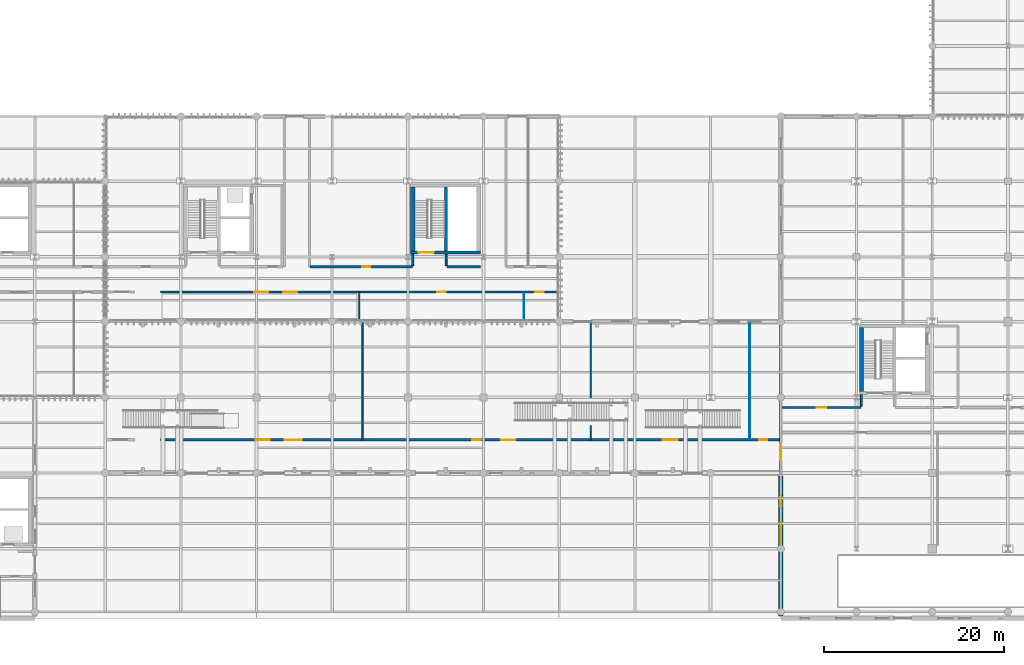
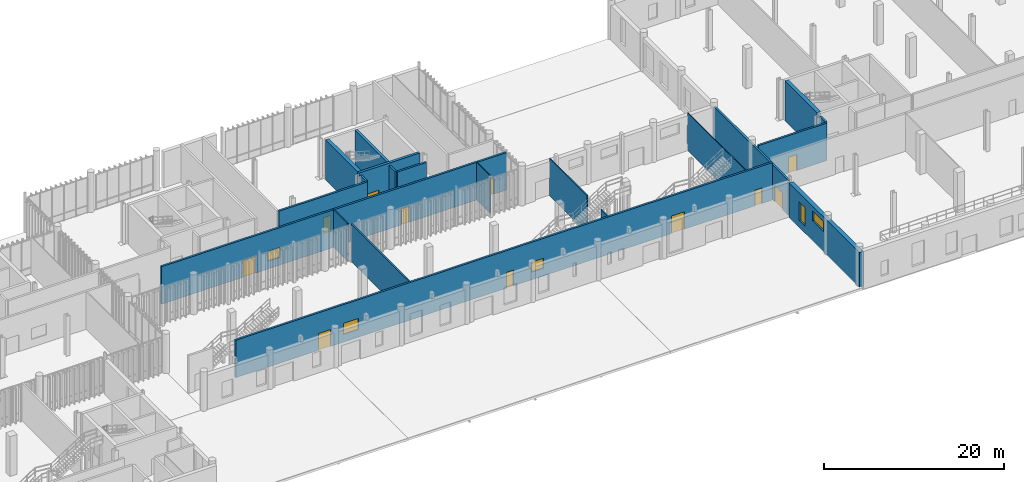
# One storey, part 90 of 112: 20 walls, 11 doors, 5 windows, 16 openings.
"""IFC4 building model written with IfcOpenShell, lengths in metres."""

from ifc_helpers import new_model, si_unit, direction, frame, frame_2d, origin_with_axes, place, context, subcontext, project, spatial, rectangle, extrude, material, layer, layer_set, type_object, element, fill, save


model = new_model("IFC4")

# Units and contexts
model_context = context("Model", 3, precision=1e-05, world=origin_with_axes(), true_north=direction((0.0, 1.0)))
body_context = subcontext(model_context, "Body", "Model", "MODEL_VIEW")
ifc_project = project(units=[si_unit("LENGTHUNIT", "METRE"), si_unit("AREAUNIT", "SQUARE_METRE"), si_unit("VOLUMEUNIT", "CUBIC_METRE"), si_unit("PLANEANGLEUNIT", "RADIAN"), si_unit("MASSUNIT", "GRAM", prefix="KILO"), si_unit("THERMODYNAMICTEMPERATUREUNIT", "KELVIN")], contexts=[model_context])

# Site, building, storey
site_placement = place(None, origin_with_axes())
site = spatial("IfcSite", under=ifc_project, at=site_placement, CompositionType="ELEMENT")
building_placement = place(site_placement, origin_with_axes())
building = spatial("IfcBuilding", under=site, at=building_placement, Name="Montbau Bow Law Courts", CompositionType="ELEMENT")
storey_placement = place(building_placement, origin_with_axes())
storey = spatial("IfcBuildingStorey", under=building, at=storey_placement, Name="L00", CompositionType="ELEMENT", Elevation=0.0)

# Walls
ifc_material_1 = material(Name="Concrete CSA A23.1 f'c 45 MPa", Category="concrete")
ifc_layer_1 = layer(ifc_material_1, 0.45, Name="Shear Wall", Category="concrete")
ifc_layer_set_1 = layer_set([ifc_layer_1], Name="Concrete CSA A23.1 f'c 45 MPa")
wall_type_1 = type_object("IfcWallType", Name="W-COR-02", PredefinedType="SHEAR", material=ifc_layer_set_1)
wall_1_placement = place(None, frame((80.94, 53.96, 0.0), z_axis=(0.0, 0.0, 1.0), x_axis=(0.0, -1.0, 0.0)))
element("IfcWall", 1, at=wall_1_placement, inside=storey, type_object=wall_type_1, Name="WC-L00-0222:wal_0289", PredefinedType="SHEAR", context=body_context, shape_type="SweptSolid", body=[
    extrude(rectangle(XDim=7.119999999999997, YDim=0.45, at=frame_2d((3.56, 0.0), x_axis=(1.0, 0.0))), origin_with_axes(), (0.0, 0.0, 1.0), 5.4),
])
wall_2_placement = place(None, frame((130.74, 38.36, 0.0), z_axis=(0.0, 0.0, 1.0), x_axis=(0.0, -1.0, 0.0)))
element("IfcWall", 2, at=wall_2_placement, inside=storey, type_object=wall_type_1, Name="WC-L00-0492:wal_0559", PredefinedType="SHEAR", context=body_context, shape_type="SweptSolid", body=[
    extrude(rectangle(XDim=7.120000000000001, YDim=0.45, at=frame_2d((3.56, 0.0), x_axis=(1.0, 0.0))), origin_with_axes(), (0.0, 0.0, 1.0), 5.4),
])

# Wall, opening, door
ifc_layer_2 = layer(ifc_material_1, 0.32, Name="Shear Wall", Category="concrete")
ifc_layer_set_2 = layer_set([ifc_layer_2], Name="Concrete CSA A23.1 f'c 45 MPa")
wall_type_2 = type_object("IfcWallType", Name="W-COR-05", PredefinedType="SHEAR", material=ifc_layer_set_2)
wall_3_placement = place(None, frame((80.715, 46.68, 0.0), z_axis=(0.0, 0.0, 1.0), x_axis=(1.0, 0.0, 0.0)))
wall_3 = element("IfcWall", 3, at=wall_3_placement, inside=storey, type_object=wall_type_2, Name="WC-L00-0219:wal_0286", PredefinedType="SHEAR", context=body_context, shape_type="SweptSolid", body=[
    extrude(rectangle(XDim=7.769999999999996, YDim=0.32, at=frame_2d((3.885, 0.0), x_axis=(1.0, 0.0))), origin_with_axes(), (0.0, 0.0, 1.0), 5.4),
])
opening_1_placement = place(None, frame((82.425, 46.68, 0.0), z_axis=(0.0, 0.0, 1.0), x_axis=(1.0, 0.0, 0.0)))
opening_1 = element("IfcOpeningElement", 4, at=opening_1_placement, cuts=wall_3, Name="OP-D-L00-ST-P3", PredefinedType="OPENING", context=body_context, shape_type="SweptSolid", body=[
    extrude(rectangle(XDim=1.72, YDim=2.18, at=frame_2d((0.0, 1.09), x_axis=(1.0, 0.0))), frame((0.0, 0.17, 0.0), z_axis=(0.0, -1.0, 0.0), x_axis=(1.0, 0.0, 0.0)), (0.0, 0.0, 1.0), 0.34),
])
ifc_material_2 = material(Name="1.5 h Fire-Rated Double Exit Stair Discharge Door", Category="steel")
door_type_1 = type_object("IfcDoorType", Name="D-ST-02", OperationType="NOTDEFINED", ParameterTakesPrecedence=False, PredefinedType="DOOR", material=ifc_material_2)
door_1_placement = place(None, frame((82.425, 46.68, 0.0), z_axis=(0.0, 0.0, 1.0), x_axis=(-1.0, 0.0, 0.0)))
door_1 = element("IfcDoor", 5, at=door_1_placement, inside=storey, type_object=door_type_1, Name="D-L00-ST-P3:dor_0126", OperationType="DOUBLE_DOOR_SINGLE_SWING", OverallHeight=2.18, OverallWidth=1.72, PredefinedType="DOOR", context=body_context, shape_type="SweptSolid", body=[
    extrude(rectangle(XDim=1.72, YDim=2.18, at=frame_2d((0.0, 1.09), x_axis=(1.0, 0.0))), frame((0.0, 0.04, 0.0), z_axis=(0.0, -1.0, 0.0), x_axis=(1.0, 0.0, 0.0)), (0.0, 0.0, 1.0), 0.08),
])
fill(opening_1, door_1)

# Wall
wall_4_placement = place(None, frame((84.62, 46.84, 0.0), z_axis=(0.0, 0.0, 1.0), x_axis=(0.0, 1.0, 0.0)))
element("IfcWall", 6, at=wall_4_placement, inside=storey, type_object=wall_type_2, Name="WS-L00-0223:wal_0290", PredefinedType="SHEAR", context=body_context, shape_type="SweptSolid", body=[
    extrude(rectangle(XDim=7.119999999999997, YDim=0.32, at=frame_2d((3.56, 0.0), x_axis=(1.0, 0.0))), origin_with_axes(), (0.0, 0.0, 1.0), 5.4),
])

# Wall, openings, windows
ifc_material_3 = material(Name="Canmore Rundlestone Plinth Masonry on Concrete Backing CSA A23.1 f'c 35 MPa", Category="masonry")
ifc_layer_3 = layer(ifc_material_3, 0.52, Name="Solid Wall", Category="masonry")
ifc_layer_set_3 = layer_set([ifc_layer_3], Name="Canmore Rundlestone Plinth Masonry on Concrete Backing CSA A23.1 f'c 35 MPa")
wall_type_3 = type_object("IfcWallType", Name="W-EXT-02", PredefinedType="SOLIDWALL", material=ifc_layer_set_3)
wall_5_placement = place(None, frame((121.8, 21.89, 0.0), z_axis=(0.0, 0.0, 1.0), x_axis=(0.0, -1.0, 0.0)))
wall_5 = element("IfcWall", 7, at=wall_5_placement, inside=storey, type_object=wall_type_3, Name="WE-L00-014:wal_0031", PredefinedType="SOLIDWALL", context=body_context, shape_type="SweptSolid", body=[
    extrude(rectangle(XDim=15.55, YDim=0.52, at=frame_2d((7.775, 0.0), x_axis=(1.0, 0.0))), origin_with_axes(), (0.0, 0.0, 1.0), 4.714),
])
opening_2_placement = place(None, frame((121.8, 19.015, 0.95), z_axis=(0.0, 0.0, 1.0), x_axis=(0.0, -1.0, 0.0)))
opening_2 = element("IfcOpeningElement", 8, at=opening_2_placement, cuts=wall_5, Name="OP-WN-L00-070", PredefinedType="OPENING", context=body_context, shape_type="SweptSolid", body=[
    extrude(rectangle(XDim=1.35, YDim=2.5, at=frame_2d((0.0, 1.25), x_axis=(1.0, 0.0))), frame((0.0, 0.27, 0.0), z_axis=(0.0, -1.0, 0.0), x_axis=(1.0, 0.0, 0.0)), (0.0, 0.0, 1.0), 0.54),
])
opening_3_placement = place(None, frame((121.8, 15.54, 2.7), z_axis=(0.0, 0.0, 1.0), x_axis=(0.0, -1.0, 0.0)))
opening_3 = element("IfcOpeningElement", 9, at=opening_3_placement, cuts=wall_5, Name="OP-WN-L00-071", PredefinedType="OPENING", context=body_context, shape_type="SweptSolid", body=[
    extrude(rectangle(XDim=2.4, YDim=1.4, at=frame_2d((0.0, 0.7), x_axis=(1.0, 0.0))), frame((0.0, 0.27, 0.0), z_axis=(0.0, -1.0, 0.0), x_axis=(1.0, 0.0, 0.0)), (0.0, 0.0, 1.0), 0.54),
])
ifc_material_4 = material(Name="Triple-Glazed Low-E Argon Insulating Glass Unit", Category="glass")
window_type_1 = type_object("IfcWindowType", Name="WN-CRT-01", ParameterTakesPrecedence=False, PartitioningType="SINGLE_PANEL", PredefinedType="WINDOW", material=ifc_material_4)
window_1_placement = place(None, frame((121.8, 15.54, 2.7), z_axis=(0.0, 0.0, 1.0), x_axis=(0.0, -1.0, 0.0)))
window_1 = element("IfcWindow", 10, at=window_1_placement, inside=storey, type_object=window_type_1, Name="WN-L00-071:win_0071", OverallHeight=1.4, OverallWidth=2.4, PartitioningType="SINGLE_PANEL", PredefinedType="WINDOW", context=body_context, shape_type="SweptSolid", body=[
    extrude(rectangle(XDim=2.4, YDim=1.4, at=frame_2d((0.0, 0.7), x_axis=(1.0, 0.0))), frame((0.0, 0.03, 0.0), z_axis=(0.0, -1.0, 0.0), x_axis=(1.0, 0.0, 0.0)), (0.0, 0.0, 1.0), 0.06),
])
fill(opening_3, window_1)
window_type_2 = type_object("IfcWindowType", Name="WN-PLN-04", ParameterTakesPrecedence=False, PartitioningType="SINGLE_PANEL", PredefinedType="WINDOW", material=ifc_material_4)
window_2_placement = place(None, frame((121.8, 19.015, 0.95), z_axis=(0.0, 0.0, 1.0), x_axis=(0.0, -1.0, 0.0)))
window_2 = element("IfcWindow", 11, at=window_2_placement, inside=storey, type_object=window_type_2, Name="WN-L00-070:win_0070", OverallHeight=2.5, OverallWidth=1.35, PartitioningType="SINGLE_PANEL", PredefinedType="WINDOW", context=body_context, shape_type="SweptSolid", body=[
    extrude(rectangle(XDim=1.35, YDim=2.5, at=frame_2d((0.0, 1.25), x_axis=(1.0, 0.0))), frame((0.0, 0.03, 0.0), z_axis=(0.0, -1.0, 0.0), x_axis=(1.0, 0.0, 0.0)), (0.0, 0.0, 1.0), 0.06),
])
fill(opening_2, window_2)

# Wall, opening, door
ifc_material_5 = material(Name="2 h Shaft and Exit-Passage Fire Separation Partition", Category="gypsum")
ifc_layer_4 = layer(ifc_material_5, 0.25, Name="Partition", Category="gypsum")
ifc_layer_set_4 = layer_set([ifc_layer_4], Name="2 h Shaft and Exit-Passage Fire Separation Partition")
wall_type_4 = type_object("IfcWallType", Name="W-PRT-01", PredefinedType="PARTITIONING", material=ifc_layer_set_4)
wall_6_placement = place(None, frame((121.8, 22.34, 0.0), z_axis=(0.0, 0.0, 1.0), x_axis=(0.0, 1.0, 0.0)))
wall_6 = element("IfcWall", 12, at=wall_6_placement, inside=storey, type_object=wall_type_4, Name="WLK-L00-0561:wal_0628", PredefinedType="PARTITIONING", context=body_context, shape_type="SweptSolid", body=[
    extrude(rectangle(XDim=16.52, YDim=0.25, at=frame_2d((8.26, 0.0), x_axis=(1.0, 0.0))), origin_with_axes(), (0.0, 0.0, 1.0), 4.724),
])
opening_4_placement = place(None, frame((121.8, 24.53, 0.0), z_axis=(0.0, 0.0, 1.0), x_axis=(0.0, 1.0, 0.0)))
opening_4 = element("IfcOpeningElement", 13, at=opening_4_placement, cuts=wall_6, Name="OP-D-LNK-210", PredefinedType="OPENING", context=body_context, shape_type="SweptSolid", body=[
    extrude(rectangle(XDim=1.76, YDim=2.26, at=frame_2d((0.0, 1.13), x_axis=(1.0, 0.0))), frame((0.0, 0.135, 0.0), z_axis=(0.0, -1.0, 0.0), x_axis=(1.0, 0.0, 0.0)), (0.0, 0.0, 1.0), 0.27),
])
ifc_material_6 = material(Name="Detention-Grade Steel Sally-Port Transfer Gate", Category="steel")
door_type_2 = type_object("IfcDoorType", Name="D-GAT-03", OperationType="NOTDEFINED", ParameterTakesPrecedence=False, PredefinedType="GATE", material=ifc_material_6)
door_2_placement = place(None, frame((121.8, 24.53, 0.0), z_axis=(0.0, 0.0, 1.0), x_axis=(0.0, 1.0, 0.0)))
door_2 = element("IfcDoor", 14, at=door_2_placement, inside=storey, type_object=door_type_2, Name="D-LNK-210:dor_0244", OperationType="DOUBLE_DOOR_SINGLE_SWING", OverallHeight=2.26, OverallWidth=1.76, PredefinedType="GATE", context=body_context, shape_type="SweptSolid", body=[
    extrude(rectangle(XDim=1.76, YDim=2.26, at=frame_2d((0.0, 1.13), x_axis=(1.0, 0.0))), frame((0.0, 0.04, 0.0), z_axis=(0.0, -1.0, 0.0), x_axis=(1.0, 0.0, 0.0)), (0.0, 0.0, 1.0), 0.08),
])
fill(opening_4, door_2)

wall_7_placement = place(None, frame((69.55, 45.09, 0.0), z_axis=(0.0, 0.0, 1.0), x_axis=(1.0, 0.0, 0.0)))
wall_7 = element("IfcWall", 15, at=wall_7_placement, inside=storey, type_object=wall_type_4, Name="WP-L00-0636:wal_0703", PredefinedType="PARTITIONING", context=body_context, shape_type="SweptSolid", body=[
    extrude(rectangle(XDim=11.350000000000009, YDim=0.25, at=frame_2d((5.675, 0.0), x_axis=(1.0, 0.0))), origin_with_axes(), (0.0, 0.0, 1.0), 5.08),
])
opening_5_placement = place(None, frame((75.789, 45.09, 0.0), z_axis=(0.0, 0.0, 1.0), x_axis=(1.0, 0.0, 0.0)))
opening_5 = element("IfcOpeningElement", 16, at=opening_5_placement, cuts=wall_7, Name="OP-D-L00-241", PredefinedType="OPENING", context=body_context, shape_type="SweptSolid", body=[
    extrude(rectangle(XDim=0.92, YDim=2.14, at=frame_2d((0.0, 1.07), x_axis=(1.0, 0.0))), frame((0.0, 0.135, 0.0), z_axis=(0.0, -1.0, 0.0), x_axis=(1.0, 0.0, 0.0)), (0.0, 0.0, 1.0), 0.27),
])
ifc_material_7 = material(Name="Judicial Law Clerk and Registry Office Oak Door", Category="wood")
door_type_3 = type_object("IfcDoorType", Name="D-OFF-01", OperationType="NOTDEFINED", ParameterTakesPrecedence=False, PredefinedType="DOOR", material=ifc_material_7)
door_3_placement = place(None, frame((75.789, 45.09, 0.0), z_axis=(0.0, 0.0, 1.0), x_axis=(-1.0, 0.0, 0.0)))
door_3 = element("IfcDoor", 17, at=door_3_placement, inside=storey, type_object=door_type_3, Name="D-L00-241:dor_0276", OperationType="SINGLE_SWING_RIGHT", OverallHeight=2.14, OverallWidth=0.92, PredefinedType="DOOR", context=body_context, shape_type="SweptSolid", body=[
    extrude(rectangle(XDim=0.92, YDim=2.14, at=frame_2d((0.0, 1.07), x_axis=(1.0, 0.0))), frame((0.0, 0.04, 0.0), z_axis=(0.0, -1.0, 0.0), x_axis=(1.0, 0.0, 0.0)), (0.0, 0.0, 1.0), 0.08),
])
fill(opening_5, door_3)

# Wall
wall_8_placement = place(None, frame((84.75, 45.09, 0.0), z_axis=(0.0, 0.0, 1.0), x_axis=(1.0, 0.0, 0.0)))
element("IfcWall", 18, at=wall_8_placement, inside=storey, type_object=wall_type_4, Name="WP-L00-0637:wal_0704", PredefinedType="PARTITIONING", context=body_context, shape_type="SweptSolid", body=[
    extrude(rectangle(XDim=3.700000000000003, YDim=0.25, at=frame_2d((1.85, 0.0), x_axis=(1.0, 0.0))), origin_with_axes(), (0.0, 0.0, 1.0), 5.08),
])

# Wall, openings, doors, window
wall_9_placement = place(None, frame((52.95, 42.31, 0.0), z_axis=(0.0, 0.0, 1.0), x_axis=(1.0, 0.0, 0.0)))
wall_9 = element("IfcWall", 19, at=wall_9_placement, inside=storey, type_object=wall_type_4, Name="WP-L00-0640:wal_0707", PredefinedType="PARTITIONING", context=body_context, shape_type="SweptSolid", body=[
    extrude(rectangle(XDim=44.11, YDim=0.25, at=frame_2d((22.055, 0.0), x_axis=(1.0, 0.0))), origin_with_axes(), (0.0, 0.0, 1.0), 5.08),
])
opening_6_placement = place(None, frame((64.136, 42.31, 0.0), z_axis=(0.0, 0.0, 1.0), x_axis=(1.0, 0.0, 0.0)))
opening_6 = element("IfcOpeningElement", 20, at=opening_6_placement, cuts=wall_9, Name="OP-D-L00-245", PredefinedType="OPENING", context=body_context, shape_type="SweptSolid", body=[
    extrude(rectangle(XDim=1.56, YDim=2.28, at=frame_2d((0.0, 1.14), x_axis=(1.0, 0.0))), frame((0.0, 0.135, 0.0), z_axis=(0.0, -1.0, 0.0), x_axis=(1.0, 0.0, 0.0)), (0.0, 0.0, 1.0), 0.27),
])
opening_7_placement = place(None, frame((84.144, 42.31, 0.0), z_axis=(0.0, 0.0, 1.0), x_axis=(1.0, 0.0, 0.0)))
opening_7 = element("IfcOpeningElement", 21, at=opening_7_placement, cuts=wall_9, Name="OP-D-L00-246", PredefinedType="OPENING", context=body_context, shape_type="SweptSolid", body=[
    extrude(rectangle(XDim=0.95, YDim=2.16, at=frame_2d((0.0, 1.08), x_axis=(1.0, 0.0))), frame((0.0, 0.135, 0.0), z_axis=(0.0, -1.0, 0.0), x_axis=(1.0, 0.0, 0.0)), (0.0, 0.0, 1.0), 0.27),
])
opening_8_placement = place(None, frame((95.013, 42.31, 0.0), z_axis=(0.0, 0.0, 1.0), x_axis=(1.0, 0.0, 0.0)))
opening_8 = element("IfcOpeningElement", 22, at=opening_8_placement, cuts=wall_9, Name="OP-D-L00-247", PredefinedType="OPENING", context=body_context, shape_type="SweptSolid", body=[
    extrude(rectangle(XDim=0.91, YDim=2.12, at=frame_2d((0.0, 1.06), x_axis=(1.0, 0.0))), frame((0.0, 0.135, 0.0), z_axis=(0.0, -1.0, 0.0), x_axis=(1.0, 0.0, 0.0)), (0.0, 0.0, 1.0), 0.27),
])
opening_9_placement = place(None, frame((67.331, 42.31, 1.05), z_axis=(0.0, 0.0, 1.0), x_axis=(1.0, 0.0, 0.0)))
opening_9 = element("IfcOpeningElement", 23, at=opening_9_placement, cuts=wall_9, Name="OP-WI-L00-04", PredefinedType="OPENING", context=body_context, shape_type="SweptSolid", body=[
    extrude(rectangle(XDim=1.55, YDim=1.35, at=frame_2d((0.0, 0.675), x_axis=(1.0, 0.0))), frame((0.0, 0.135, 0.0), z_axis=(0.0, -1.0, 0.0), x_axis=(1.0, 0.0, 0.0)), (0.0, 0.0, 1.0), 0.27),
])
ifc_material_8 = material(Name="Mediation and Witness Waiting Acoustic Oak Door", Category="wood")
door_type_4 = type_object("IfcDoorType", Name="D-MED-01", OperationType="NOTDEFINED", ParameterTakesPrecedence=False, PredefinedType="DOOR", material=ifc_material_8)
door_4_placement = place(None, frame((84.144, 42.31, 0.0), z_axis=(0.0, 0.0, 1.0), x_axis=(-1.0, 0.0, 0.0)))
door_4 = element("IfcDoor", 24, at=door_4_placement, inside=storey, type_object=door_type_4, Name="D-L00-246:dor_0281", OperationType="SINGLE_SWING_LEFT", OverallHeight=2.16, OverallWidth=0.95, PredefinedType="DOOR", context=body_context, shape_type="SweptSolid", body=[
    extrude(rectangle(XDim=0.95, YDim=2.16, at=frame_2d((0.0, 1.08), x_axis=(1.0, 0.0))), frame((0.0, 0.04, 0.0), z_axis=(0.0, -1.0, 0.0), x_axis=(1.0, 0.0, 0.0)), (0.0, 0.0, 1.0), 0.08),
])
fill(opening_7, door_4)
ifc_material_9 = material(Name="Case Registry Counter Suite Double Door", Category="wood")
door_type_5 = type_object("IfcDoorType", Name="D-REG-01", OperationType="NOTDEFINED", ParameterTakesPrecedence=False, PredefinedType="DOOR", material=ifc_material_9)
door_5_placement = place(None, frame((64.136, 42.31, 0.0), z_axis=(0.0, 0.0, 1.0), x_axis=(-1.0, 0.0, 0.0)))
door_5 = element("IfcDoor", 25, at=door_5_placement, inside=storey, type_object=door_type_5, Name="D-L00-245:dor_0280", OperationType="DOUBLE_DOOR_SINGLE_SWING", OverallHeight=2.28, OverallWidth=1.56, PredefinedType="DOOR", context=body_context, shape_type="SweptSolid", body=[
    extrude(rectangle(XDim=1.56, YDim=2.28, at=frame_2d((0.0, 1.14), x_axis=(1.0, 0.0))), frame((0.0, 0.04, 0.0), z_axis=(0.0, -1.0, 0.0), x_axis=(1.0, 0.0, 0.0)), (0.0, 0.0, 1.0), 0.08),
])
fill(opening_6, door_5)
ifc_material_10 = material(Name="Public and Judicial Washroom Solid-Core Door", Category="wood")
door_type_6 = type_object("IfcDoorType", Name="D-WC-02", OperationType="NOTDEFINED", ParameterTakesPrecedence=False, PredefinedType="DOOR", material=ifc_material_10)
door_6_placement = place(None, frame((95.013, 42.31, 0.0), z_axis=(0.0, 0.0, 1.0), x_axis=(-1.0, 0.0, 0.0)))
door_6 = element("IfcDoor", 26, at=door_6_placement, inside=storey, type_object=door_type_6, Name="D-L00-247:dor_0282", OperationType="SINGLE_SWING_RIGHT", OverallHeight=2.12, OverallWidth=0.91, PredefinedType="DOOR", context=body_context, shape_type="SweptSolid", body=[
    extrude(rectangle(XDim=0.91, YDim=2.12, at=frame_2d((0.0, 1.06), x_axis=(1.0, 0.0))), frame((0.0, 0.04, 0.0), z_axis=(0.0, -1.0, 0.0), x_axis=(1.0, 0.0, 0.0)), (0.0, 0.0, 1.0), 0.08),
])
fill(opening_8, door_6)
ifc_material_11 = material(Name="Registry Counter Security Pass-Through Glazing", Category="glass")
window_type_3 = type_object("IfcWindowType", Name="WN-INT-02", ParameterTakesPrecedence=False, PartitioningType="SINGLE_PANEL", PredefinedType="WINDOW", material=ifc_material_11)
window_3_placement = place(None, frame((67.331, 42.31, 1.05), z_axis=(0.0, 0.0, 1.0), x_axis=(1.0, 0.0, 0.0)))
window_3 = element("IfcWindow", 27, at=window_3_placement, inside=storey, type_object=window_type_3, Name="WI-L00-04:win_0126", OverallHeight=1.35, OverallWidth=1.55, PartitioningType="SINGLE_PANEL", PredefinedType="WINDOW", context=body_context, shape_type="SweptSolid", body=[
    extrude(rectangle(XDim=1.55, YDim=1.35, at=frame_2d((0.0, 0.675), x_axis=(1.0, 0.0))), frame((0.0, 0.03, 0.0), z_axis=(0.0, -1.0, 0.0), x_axis=(1.0, 0.0, 0.0)), (0.0, 0.0, 1.0), 0.06),
])
fill(opening_9, window_3)

# Wall, openings, doors, windows
wall_10_placement = place(None, frame((52.95, 25.89, 0.0), z_axis=(0.0, 0.0, 1.0), x_axis=(1.0, 0.0, 0.0)))
wall_10 = element("IfcWall", 28, at=wall_10_placement, inside=storey, type_object=wall_type_4, Name="WP-L00-0645:wal_0712", PredefinedType="PARTITIONING", context=body_context, shape_type="SweptSolid", body=[
    extrude(rectangle(XDim=68.71, YDim=0.25, at=frame_2d((34.355, 0.0), x_axis=(1.0, 0.0))), origin_with_axes(), (0.0, 0.0, 1.0), 5.08),
])
opening_10_placement = place(None, frame((64.313, 25.89, 0.0), z_axis=(0.0, 0.0, 1.0), x_axis=(1.0, 0.0, 0.0)))
opening_10 = element("IfcOpeningElement", 29, at=opening_10_placement, cuts=wall_10, Name="OP-D-L00-249", PredefinedType="OPENING", context=body_context, shape_type="SweptSolid", body=[
    extrude(rectangle(XDim=1.56, YDim=2.28, at=frame_2d((0.0, 1.14), x_axis=(1.0, 0.0))), frame((0.0, 0.135, 0.0), z_axis=(0.0, -1.0, 0.0), x_axis=(1.0, 0.0, 0.0)), (0.0, 0.0, 1.0), 0.27),
])
opening_11_placement = place(None, frame((88.028, 25.89, 0.0), z_axis=(0.0, 0.0, 1.0), x_axis=(1.0, 0.0, 0.0)))
opening_11 = element("IfcOpeningElement", 30, at=opening_11_placement, cuts=wall_10, Name="OP-D-L00-250", PredefinedType="OPENING", context=body_context, shape_type="SweptSolid", body=[
    extrude(rectangle(XDim=0.92, YDim=2.14, at=frame_2d((0.0, 1.07), x_axis=(1.0, 0.0))), frame((0.0, 0.135, 0.0), z_axis=(0.0, -1.0, 0.0), x_axis=(1.0, 0.0, 0.0)), (0.0, 0.0, 1.0), 0.27),
])
opening_12_placement = place(None, frame((109.522, 25.89, 0.0), z_axis=(0.0, 0.0, 1.0), x_axis=(1.0, 0.0, 0.0)))
opening_12 = element("IfcOpeningElement", 31, at=opening_12_placement, cuts=wall_10, Name="OP-D-L00-251", PredefinedType="OPENING", context=body_context, shape_type="SweptSolid", body=[
    extrude(rectangle(XDim=1.66, YDim=2.38, at=frame_2d((0.0, 1.19), x_axis=(1.0, 0.0))), frame((0.0, 0.135, 0.0), z_axis=(0.0, -1.0, 0.0), x_axis=(1.0, 0.0, 0.0)), (0.0, 0.0, 1.0), 0.27),
])
opening_13_placement = place(None, frame((119.838, 25.89, 0.0), z_axis=(0.0, 0.0, 1.0), x_axis=(1.0, 0.0, 0.0)))
opening_13 = element("IfcOpeningElement", 32, at=opening_13_placement, cuts=wall_10, Name="OP-D-L00-252", PredefinedType="OPENING", context=body_context, shape_type="SweptSolid", body=[
    extrude(rectangle(XDim=0.91, YDim=2.12, at=frame_2d((0.0, 1.06), x_axis=(1.0, 0.0))), frame((0.0, 0.135, 0.0), z_axis=(0.0, -1.0, 0.0), x_axis=(1.0, 0.0, 0.0)), (0.0, 0.0, 1.0), 0.27),
])
opening_14_placement = place(None, frame((67.683, 25.89, 1.05), z_axis=(0.0, 0.0, 1.0), x_axis=(1.0, 0.0, 0.0)))
opening_14 = element("IfcOpeningElement", 33, at=opening_14_placement, cuts=wall_10, Name="OP-WI-L00-05", PredefinedType="OPENING", context=body_context, shape_type="SweptSolid", body=[
    extrude(rectangle(XDim=1.9, YDim=1.5, at=frame_2d((0.0, 0.75), x_axis=(1.0, 0.0))), frame((0.0, 0.135, 0.0), z_axis=(0.0, -1.0, 0.0), x_axis=(1.0, 0.0, 0.0)), (0.0, 0.0, 1.0), 0.27),
])
opening_15_placement = place(None, frame((91.543, 25.89, 1.05), z_axis=(0.0, 0.0, 1.0), x_axis=(1.0, 0.0, 0.0)))
opening_15 = element("IfcOpeningElement", 34, at=opening_15_placement, cuts=wall_10, Name="OP-WI-L00-06", PredefinedType="OPENING", context=body_context, shape_type="SweptSolid", body=[
    extrude(rectangle(XDim=1.55, YDim=1.35, at=frame_2d((0.0, 0.675), x_axis=(1.0, 0.0))), frame((0.0, 0.135, 0.0), z_axis=(0.0, -1.0, 0.0), x_axis=(1.0, 0.0, 0.0)), (0.0, 0.0, 1.0), 0.27),
])
ifc_material_12 = material(Name="Public Cafe Glazed Timber Double Door", Category="wood")
door_type_7 = type_object("IfcDoorType", Name="D-CAF-01", OperationType="NOTDEFINED", ParameterTakesPrecedence=False, PredefinedType="DOOR", material=ifc_material_12)
door_7_placement = place(None, frame((109.522, 25.89, 0.0), z_axis=(0.0, 0.0, 1.0), x_axis=(-1.0, 0.0, 0.0)))
door_7 = element("IfcDoor", 35, at=door_7_placement, inside=storey, type_object=door_type_7, Name="D-L00-251:dor_0286", OperationType="DOUBLE_DOOR_SINGLE_SWING", OverallHeight=2.38, OverallWidth=1.66, PredefinedType="DOOR", context=body_context, shape_type="SweptSolid", body=[
    extrude(rectangle(XDim=1.66, YDim=2.38, at=frame_2d((0.0, 1.19), x_axis=(1.0, 0.0))), frame((0.0, 0.04, 0.0), z_axis=(0.0, -1.0, 0.0), x_axis=(1.0, 0.0, 0.0)), (0.0, 0.0, 1.0), 0.08),
])
fill(opening_12, door_7)
door_8_placement = place(None, frame((88.028, 25.89, 0.0), z_axis=(0.0, 0.0, 1.0), x_axis=(-1.0, 0.0, 0.0)))
door_8 = element("IfcDoor", 36, at=door_8_placement, inside=storey, type_object=door_type_3, Name="D-L00-250:dor_0285", OperationType="SINGLE_SWING_LEFT", OverallHeight=2.14, OverallWidth=0.92, PredefinedType="DOOR", context=body_context, shape_type="SweptSolid", body=[
    extrude(rectangle(XDim=0.92, YDim=2.14, at=frame_2d((0.0, 1.07), x_axis=(1.0, 0.0))), frame((0.0, 0.04, 0.0), z_axis=(0.0, -1.0, 0.0), x_axis=(1.0, 0.0, 0.0)), (0.0, 0.0, 1.0), 0.08),
])
fill(opening_11, door_8)
door_9_placement = place(None, frame((64.313, 25.89, 0.0), z_axis=(0.0, 0.0, 1.0), x_axis=(-1.0, 0.0, 0.0)))
door_9 = element("IfcDoor", 37, at=door_9_placement, inside=storey, type_object=door_type_5, Name="D-L00-249:dor_0284", OperationType="DOUBLE_DOOR_SINGLE_SWING", OverallHeight=2.28, OverallWidth=1.56, PredefinedType="DOOR", context=body_context, shape_type="SweptSolid", body=[
    extrude(rectangle(XDim=1.56, YDim=2.28, at=frame_2d((0.0, 1.14), x_axis=(1.0, 0.0))), frame((0.0, 0.04, 0.0), z_axis=(0.0, -1.0, 0.0), x_axis=(1.0, 0.0, 0.0)), (0.0, 0.0, 1.0), 0.08),
])
fill(opening_10, door_9)
door_10_placement = place(None, frame((119.838, 25.89, 0.0), z_axis=(0.0, 0.0, 1.0), x_axis=(-1.0, 0.0, 0.0)))
door_10 = element("IfcDoor", 38, at=door_10_placement, inside=storey, type_object=door_type_6, Name="D-L00-252:dor_0287", OperationType="SINGLE_SWING_RIGHT", OverallHeight=2.12, OverallWidth=0.91, PredefinedType="DOOR", context=body_context, shape_type="SweptSolid", body=[
    extrude(rectangle(XDim=0.91, YDim=2.12, at=frame_2d((0.0, 1.06), x_axis=(1.0, 0.0))), frame((0.0, 0.04, 0.0), z_axis=(0.0, -1.0, 0.0), x_axis=(1.0, 0.0, 0.0)), (0.0, 0.0, 1.0), 0.08),
])
fill(opening_13, door_10)
ifc_material_13 = material(Name="Fire-Rated Acoustic Borrowed-Light Interior Glazing", Category="glass")
window_type_4 = type_object("IfcWindowType", Name="WN-INT-01", ParameterTakesPrecedence=False, PartitioningType="SINGLE_PANEL", PredefinedType="WINDOW", material=ifc_material_13)
window_4_placement = place(None, frame((67.683, 25.89, 1.05), z_axis=(0.0, 0.0, 1.0), x_axis=(1.0, 0.0, 0.0)))
window_4 = element("IfcWindow", 39, at=window_4_placement, inside=storey, type_object=window_type_4, Name="WI-L00-05:win_0127", OverallHeight=1.5, OverallWidth=1.9, PartitioningType="SINGLE_PANEL", PredefinedType="WINDOW", context=body_context, shape_type="SweptSolid", body=[
    extrude(rectangle(XDim=1.9, YDim=1.5, at=frame_2d((0.0, 0.75), x_axis=(1.0, 0.0))), frame((0.0, 0.03, 0.0), z_axis=(0.0, -1.0, 0.0), x_axis=(1.0, 0.0, 0.0)), (0.0, 0.0, 1.0), 0.06),
])
fill(opening_14, window_4)
window_5_placement = place(None, frame((91.543, 25.89, 1.05), z_axis=(0.0, 0.0, 1.0), x_axis=(1.0, 0.0, 0.0)))
window_5 = element("IfcWindow", 40, at=window_5_placement, inside=storey, type_object=window_type_3, Name="WI-L00-06:win_0128", OverallHeight=1.35, OverallWidth=1.55, PartitioningType="SINGLE_PANEL", PredefinedType="WINDOW", context=body_context, shape_type="SweptSolid", body=[
    extrude(rectangle(XDim=1.55, YDim=1.35, at=frame_2d((0.0, 0.675), x_axis=(1.0, 0.0))), frame((0.0, 0.03, 0.0), z_axis=(0.0, -1.0, 0.0), x_axis=(1.0, 0.0, 0.0)), (0.0, 0.0, 1.0), 0.06),
])
fill(opening_15, window_5)

# Wall, opening, door
wall_11_placement = place(None, frame((121.94, 29.49, 0.0), z_axis=(0.0, 0.0, 1.0), x_axis=(1.0, 0.0, 0.0)))
wall_11 = element("IfcWall", 41, at=wall_11_placement, inside=storey, type_object=wall_type_4, Name="WP-L00-0661:wal_0728", PredefinedType="PARTITIONING", context=body_context, shape_type="SweptSolid", body=[
    extrude(rectangle(XDim=8.759999999999991, YDim=0.25, at=frame_2d((4.38, 0.0), x_axis=(1.0, 0.0))), origin_with_axes(), (0.0, 0.0, 1.0), 5.08),
])
opening_16_placement = place(None, frame((126.32, 29.49, 0.0), z_axis=(0.0, 0.0, 1.0), x_axis=(1.0, 0.0, 0.0)))
opening_16 = element("IfcOpeningElement", 42, at=opening_16_placement, cuts=wall_11, Name="OP-D-L00-259", PredefinedType="OPENING", context=body_context, shape_type="SweptSolid", body=[
    extrude(rectangle(XDim=1.05, YDim=2.15, at=frame_2d((0.0, 1.075), x_axis=(1.0, 0.0))), frame((0.0, 0.135, 0.0), z_axis=(0.0, -1.0, 0.0), x_axis=(1.0, 0.0, 0.0)), (0.0, 0.0, 1.0), 0.27),
])
ifc_material_14 = material(Name="1.5 h Fire Command Room Hollow-Metal Door", Category="steel")
door_type_8 = type_object("IfcDoorType", Name="D-FCC-01", OperationType="NOTDEFINED", ParameterTakesPrecedence=False, PredefinedType="DOOR", material=ifc_material_14)
door_11_placement = place(None, frame((126.32, 29.49, 0.0), z_axis=(0.0, 0.0, 1.0), x_axis=(-1.0, 0.0, 0.0)))
door_11 = element("IfcDoor", 43, at=door_11_placement, inside=storey, type_object=door_type_8, Name="D-L00-259:dor_0294", OperationType="SINGLE_SWING_LEFT", OverallHeight=2.15, OverallWidth=1.05, PredefinedType="DOOR", context=body_context, shape_type="SweptSolid", body=[
    extrude(rectangle(XDim=1.05, YDim=2.15, at=frame_2d((0.0, 1.075), x_axis=(1.0, 0.0))), frame((0.0, 0.04, 0.0), z_axis=(0.0, -1.0, 0.0), x_axis=(1.0, 0.0, 0.0)), (0.0, 0.0, 1.0), 0.08),
])
fill(opening_16, door_11)

# Walls
ifc_material_15 = material(Name="STC-60 High-Acoustic Courtroom Perimeter Partition", Category="gypsum")
ifc_layer_5 = layer(ifc_material_15, 0.22, Name="Partition", Category="gypsum")
ifc_layer_set_5 = layer_set([ifc_layer_5], Name="STC-60 High-Acoustic Courtroom Perimeter Partition")
wall_type_5 = type_object("IfcWallType", Name="W-PRT-02", PredefinedType="PARTITIONING", material=ifc_layer_set_5)
for number, where, z_axis, x_axis, name in (
    (44, (80.94, 45.22, 0.0), (0.0, 0.0, 1.0), (0.0, 1.0, 0.0), "WCX-L00-0632:wal_0699"),
    (45, (84.65, 45.22, 0.0), (0.0, 0.0, 1.0), (0.0, 1.0, 0.0), "WCX-L00-0633:wal_0700"),
    (46, (130.74, 29.62, 0.0), (0.0, 0.0, 1.0), (0.0, 1.0, 0.0), "WCX-L00-0659:wal_0726"),
):
    element("IfcWall", number, at=place(None, frame(where, z_axis=z_axis, x_axis=x_axis)), inside=storey, type_object=wall_type_5, Name=name, PredefinedType="PARTITIONING", context=body_context, shape_type="SweptSolid", body=[
        extrude(rectangle(XDim=1.259999999999998, YDim=0.22, at=frame_2d((0.63, 0.0), x_axis=(1.0, 0.0))), origin_with_axes(), (0.0, 0.0, 1.0), 5.08),
    ])
ifc_material_16 = material(Name="1 h Corridor Fire-Rated Gypsum Partition", Category="gypsum")
ifc_layer_6 = layer(ifc_material_16, 0.18, Name="Partition", Category="gypsum")
ifc_layer_set_6 = layer_set([ifc_layer_6], Name="1 h Corridor Fire-Rated Gypsum Partition")
wall_type_6 = type_object("IfcWallType", Name="W-PRT-04", PredefinedType="PARTITIONING", material=ifc_layer_set_6)
wall_12_placement = place(None, frame((75.353, 25.89, 0.0), z_axis=(0.0, 0.0, 1.0), x_axis=(0.0, 1.0, 0.0)))
element("IfcWall", 47, at=wall_12_placement, inside=storey, type_object=wall_type_6, Name="WD-L00-0647:wal_0714", PredefinedType="PARTITIONING", context=body_context, shape_type="SweptSolid", body=[
    extrude(rectangle(XDim=12.969999999999999, YDim=0.18, at=frame_2d((6.485, 0.0), x_axis=(1.0, 0.0))), origin_with_axes(), (0.0, 0.0, 1.0), 5.08),
])
ifc_material_17 = material(Name="1 h Registry Office Steel-Stud Fire Partition", Category="gypsum")
ifc_layer_7 = layer(ifc_material_17, 0.14, Name="Partition", Category="gypsum")
ifc_layer_set_7 = layer_set([ifc_layer_7], Name="1 h Registry Office Steel-Stud Fire Partition")
wall_type_7 = type_object("IfcWallType", Name="W-PRT-06", PredefinedType="PARTITIONING", material=ifc_layer_set_7)
wall_13_placement = place(None, frame((74.998, 39.14, 0.0), z_axis=(0.0, 0.0, 1.0), x_axis=(0.0, 1.0, 0.0)))
element("IfcWall", 48, at=wall_13_placement, inside=storey, type_object=wall_type_7, Name="WD-L00-0643:wal_0710", PredefinedType="PARTITIONING", context=body_context, shape_type="SweptSolid", body=[
    extrude(rectangle(XDim=3.1700000000000017, YDim=0.14, at=frame_2d((1.585, 0.0), x_axis=(1.0, 0.0))), origin_with_axes(), (0.0, 0.0, 1.0), 5.08),
])
wall_14_placement = place(None, frame((100.703, 25.89, 0.0), z_axis=(0.0, 0.0, 1.0), x_axis=(0.0, 1.0, 0.0)))
element("IfcWall", 49, at=wall_14_placement, inside=storey, type_object=wall_type_7, Name="WD-L00-0648:wal_0715", PredefinedType="PARTITIONING", context=body_context, shape_type="SweptSolid", body=[
    extrude(rectangle(XDim=1.5599999999999987, YDim=0.14, at=frame_2d((0.78, 0.0), x_axis=(1.0, 0.0))), origin_with_axes(), (0.0, 0.0, 1.0), 5.08),
])
ifc_material_18 = material(Name="1 h Interior Demising Acoustic Stud Partition", Category="gypsum")
ifc_layer_8 = layer(ifc_material_18, 0.12, Name="Partition", Category="gypsum")
ifc_layer_set_8 = layer_set([ifc_layer_8], Name="1 h Interior Demising Acoustic Stud Partition")
wall_type_8 = type_object("IfcWallType", Name="W-PRT-07", PredefinedType="PARTITIONING", material=ifc_layer_set_8)
wall_15_placement = place(None, frame((100.703, 30.55, 0.0), z_axis=(0.0, 0.0, 1.0), x_axis=(0.0, 1.0, 0.0)))
element("IfcWall", 50, at=wall_15_placement, inside=storey, type_object=wall_type_8, Name="WD-L00-0649:wal_0716", PredefinedType="PARTITIONING", context=body_context, shape_type="SweptSolid", body=[
    extrude(rectangle(XDim=8.309999999999999, YDim=0.12, at=frame_2d((4.155, 0.0), x_axis=(1.0, 0.0))), origin_with_axes(), (0.0, 0.0, 1.0), 5.08),
])
ifc_material_19 = material(Name="Washroom Vestibule Furring Partition", Category="gypsum")
ifc_layer_9 = layer(ifc_material_19, 0.1, Name="Partition", Category="gypsum")
ifc_layer_set_9 = layer_set([ifc_layer_9], Name="Washroom Vestibule Furring Partition")
wall_type_9 = type_object("IfcWallType", Name="W-PRT-08", PredefinedType="PARTITIONING", material=ifc_layer_set_9)
wall_16_placement = place(None, frame((93.29, 39.18, 0.0), z_axis=(0.0, 0.0, 1.0), x_axis=(0.0, 1.0, 0.0)))
element("IfcWall", 51, at=wall_16_placement, inside=storey, type_object=wall_type_9, Name="WD-L00-0642:wal_0709", PredefinedType="PARTITIONING", context=body_context, shape_type="SweptSolid", body=[
    extrude(rectangle(XDim=3.030000000000001, YDim=0.1, at=frame_2d((1.515, 0.0), x_axis=(1.0, 0.0))), origin_with_axes(), (0.0, 0.0, 1.0), 5.08),
])
wall_17_placement = place(None, frame((118.34, 25.99, 0.0), z_axis=(0.0, 0.0, 1.0), x_axis=(0.0, 1.0, 0.0)))
element("IfcWall", 52, at=wall_17_placement, inside=storey, type_object=wall_type_9, Name="WD-L00-0646:wal_0713", PredefinedType="PARTITIONING", context=body_context, shape_type="SweptSolid", body=[
    extrude(rectangle(XDim=12.830000000000002, YDim=0.1, at=frame_2d((6.415, 0.0), x_axis=(1.0, 0.0))), origin_with_axes(), (0.0, 0.0, 1.0), 5.08),
])

save(model, "model.ifc")
